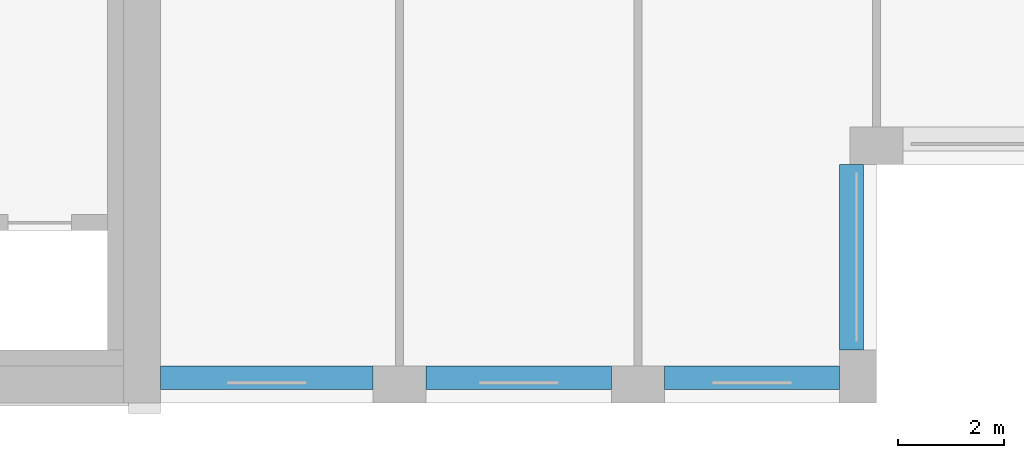
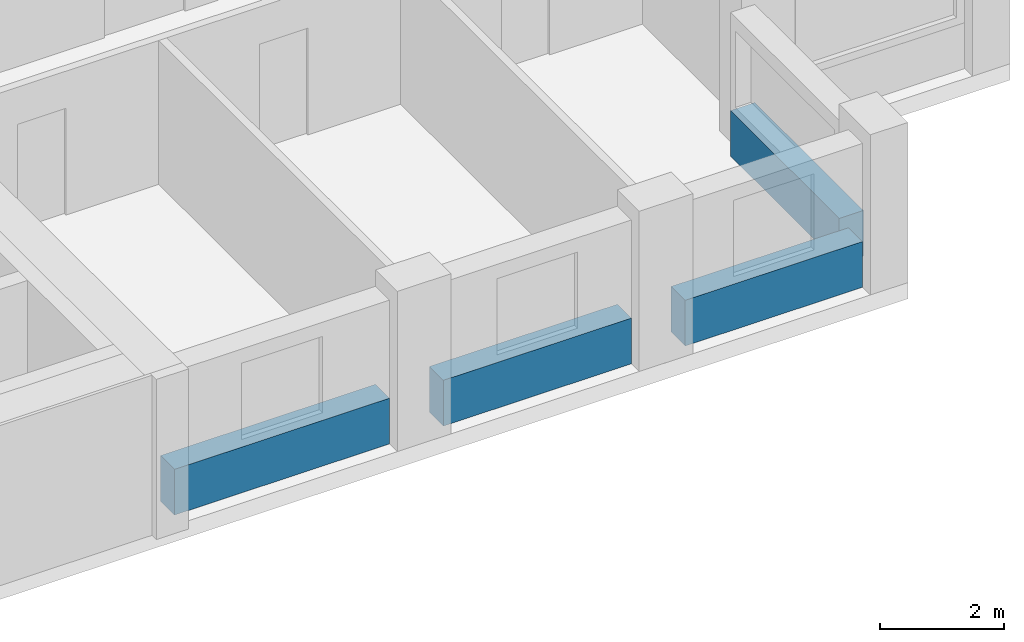
# One storey, part 3 of 16: 4 beams.
"""IFC4 building model written with IfcOpenShell, lengths in metres."""

from ifc_helpers import new_model, si_unit, direction, frame, origin, origin_2d, place, context, subcontext, project, spatial, rectangle, extrude, material, material_profile, profile_set, type_object, element, save


model = new_model("IFC4")

# Units and contexts
model_context = context("Model", 3, precision=1e-05, world=origin(), true_north=direction((0.0, 1.0)))
body_context = subcontext(model_context, "Body", "Model", "MODEL_VIEW")
ifc_project = project(units=[si_unit("LENGTHUNIT", "METRE"), si_unit("AREAUNIT", "SQUARE_METRE"), si_unit("VOLUMEUNIT", "CUBIC_METRE"), si_unit("PLANEANGLEUNIT", "RADIAN"), si_unit("MASSUNIT", "GRAM", prefix="KILO")], contexts=[model_context])

# Site, building, storey
site_placement = place(None, origin())
site = spatial("IfcSite", under=ifc_project, at=site_placement, CompositionType="ELEMENT")
building_placement = place(site_placement, origin())
building = spatial("IfcBuilding", under=site, at=building_placement, Name="Brigalow Station Residences", CompositionType="ELEMENT")
storey_placement = place(building_placement, frame((0.0, 0.0, 169.64990234375)))
storey = spatial("IfcBuildingStorey", under=building, at=storey_placement, Name="L49", CompositionType="ELEMENT", Elevation=169.64990234375)

# Beams
ifc_material = material(Name="Concrete C50", Category="concrete")
ifc_material_profile = material_profile(ifc_material, rectangle(XDim=0.449951171875, YDim=0.89990234375, at=origin_2d()), Name="RC450x900")
ifc_profile_set = profile_set([ifc_material_profile], Name="Concrete C50")
beam_type = type_object("IfcBeamType", Name="SPANDREL BEAM 450x900 C50", PredefinedType="SPANDREL", material=ifc_profile_set)
beam_1_placement = place(storey_placement, frame((54.0, 0.47509765625, 0.4501953125), z_axis=(1.0, 0.0, 0.0), x_axis=(0.0, 1.0, 0.0)))
element("IfcBeam", 1, at=beam_1_placement, inside=storey, type_object=beam_type, Name="L49/spandrel/W-L49-4", PredefinedType="SPANDREL", context=body_context, shape_type="SweptSolid", body=[
    extrude(rectangle(XDim=0.449951171875, YDim=0.89990234375, at=origin_2d()), origin(), (0.0, 0.0, 1.0), 4.0),
])
beam_2_placement = place(storey_placement, frame((59.0, 0.47509765625, 0.4501953125), z_axis=(1.0, 0.0, 0.0), x_axis=(0.0, 1.0, 0.0)))
element("IfcBeam", 2, at=beam_2_placement, inside=storey, type_object=beam_type, Name="L49/spandrel/W-L49-5", PredefinedType="SPANDREL", context=body_context, shape_type="SweptSolid", body=[
    extrude(rectangle(XDim=0.449951171875, YDim=0.89990234375, at=origin_2d()), origin(), (0.0, 0.0, 1.0), 3.5),
])
beam_3_placement = place(storey_placement, frame((63.5, 0.47509765625, 0.4501953125), z_axis=(1.0, 0.0, 0.0), x_axis=(0.0, 1.0, 0.0)))
element("IfcBeam", 3, at=beam_3_placement, inside=storey, type_object=beam_type, Name="L49/spandrel/W-L49-6", PredefinedType="SPANDREL", context=body_context, shape_type="SweptSolid", body=[
    extrude(rectangle(XDim=0.449951171875, YDim=0.89990234375, at=origin_2d()), origin(), (0.0, 0.0, 1.0), 3.300048828125),
])
beam_4_placement = place(storey_placement, frame((67.02490234375, 1.0, 0.4501953125), z_axis=(0.0, 1.0, 0.0), x_axis=(-1.0, 0.0, 0.0)))
element("IfcBeam", 4, at=beam_4_placement, inside=storey, type_object=beam_type, Name="L49/spandrel/W-L49-7", PredefinedType="SPANDREL", context=body_context, shape_type="SweptSolid", body=[
    extrude(rectangle(XDim=0.449951171875, YDim=0.89990234375, at=origin_2d()), origin(), (0.0, 0.0, 1.0), 3.5),
])

save(model, "model.ifc")
